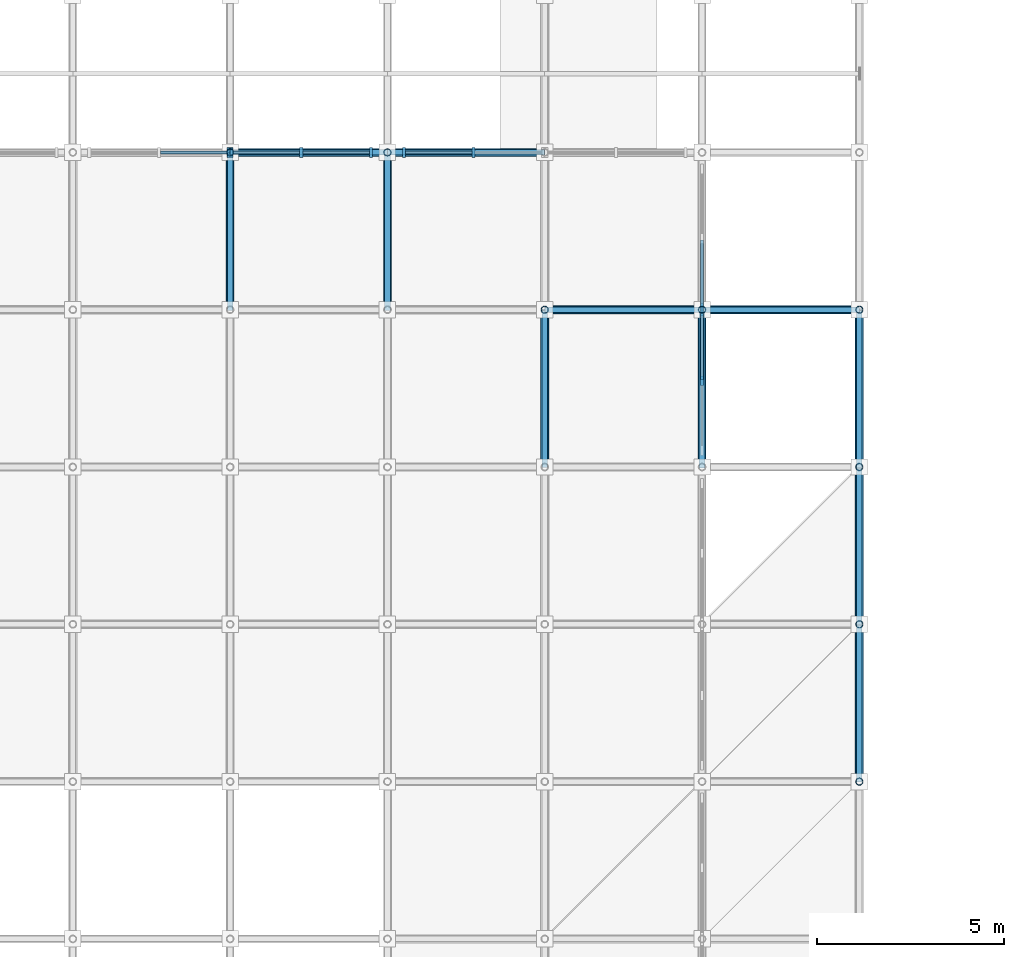
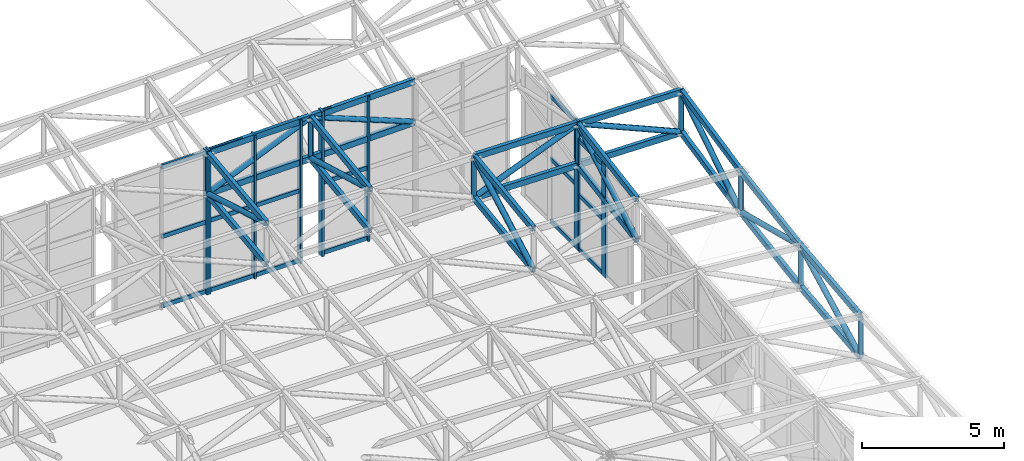
# One storey, part 35 of 132: 68 members, 5 elements without a shape of their own.
"""IFC4 building model written with IfcOpenShell, lengths in metres."""

from ifc_helpers import new_model, si_unit, direction, frame, origin, origin_2d, place, context, subcontext, project, spatial, rectangle, hollow_rectangle, hollow_circle, extrude, material, material_profile, profile_set, type_object, element, aggregate, save


model = new_model("IFC4")

# Units and contexts
model_context = context("Model", 3, precision=1e-05, world=origin(), true_north=direction((0.0, 1.0)))
body_context = subcontext(model_context, "Body", "Model", "MODEL_VIEW")
ifc_project = project(units=[si_unit("LENGTHUNIT", "METRE"), si_unit("AREAUNIT", "SQUARE_METRE"), si_unit("VOLUMEUNIT", "CUBIC_METRE"), si_unit("PLANEANGLEUNIT", "RADIAN"), si_unit("MASSUNIT", "GRAM", prefix="KILO")], contexts=[model_context])

# Site, building, storey
site_placement = place(None, origin())
site = spatial("IfcSite", under=ifc_project, at=site_placement, CompositionType="ELEMENT")
building_placement = place(site_placement, origin())
building = spatial("IfcBuilding", under=site, at=building_placement, Name="Cumbredor Promenade Congress Hotel", CompositionType="ELEMENT")
storey_placement = place(building_placement, frame((0.0, 0.0, 7.56005859375)))
storey = spatial("IfcBuildingStorey", under=building, at=storey_placement, Name="L02", CompositionType="ELEMENT", Elevation=7.56005859375)

# Curtain wall, member
ifc_material_1 = material(Name="Thermally broken anodized aluminium and low-E glass", Category="aluminium")
curtain_wall_type = type_object("IfcCurtainWallType", Name="Stepped Pavilion Clerestory Curtain Wall CW-06", PredefinedType="NOTDEFINED", material=ifc_material_1)
curtain_wall_1_placement = place(storey_placement, origin())
curtain_wall_1 = element("IfcCurtainWall", 1, at=curtain_wall_1_placement, inside=storey, type_object=curtain_wall_type, Name="Thermal Spa and Hydrotherapy Pavilion N Glazed Clerestory 5", PredefinedType="NOTDEFINED")
ifc_material_2 = material(Name="Thermally broken anodized aluminium", Category="aluminium")
ifc_material_profile_1 = material_profile(ifc_material_2, rectangle(XDim=0.0849609375, YDim=0.260009765625, at=origin_2d()), Name="ALU MULLION CLERESTORY 85x260")
ifc_profile_set_1 = profile_set([ifc_material_profile_1], Name="Thermally broken anodized aluminium")
member_type_1 = type_object("IfcMemberType", Name="Curtain Wall Mullion ML-04", PredefinedType="MULLION", material=ifc_profile_set_1)
member_1_placement = place(storey_placement, frame((96.56005859375, 50.39990234375, -0.01806640625), z_axis=(0.0, 0.0, 1.0), x_axis=(1.0, 0.0, 0.0)))
member_1 = element("IfcMember", 2, at=member_1_placement, type_object=member_type_1, Name="Thermal Spa and Hydrotherapy Pavilion N Glazed Clerestory 5 Mullion 3", PredefinedType="MULLION", context=body_context, shape_type="SweptSolid", body=[
    extrude(rectangle(XDim=0.0849609375, YDim=0.260009765625, at=origin_2d()), origin(), (0.0, 0.0, 1.0), 6.160400390625),
])

# Curtain wall, members
curtain_wall_2_placement = place(storey_placement, origin())
curtain_wall_2 = element("IfcCurtainWall", 3, at=curtain_wall_2_placement, inside=storey, type_object=curtain_wall_type, Name="Thermal Spa and Hydrotherapy Pavilion N Glazed Clerestory 6", PredefinedType="NOTDEFINED")
member_2_placement = place(storey_placement, frame((96.639892578125, 50.39990234375, -0.01806640625), z_axis=(0.0, 0.0, 1.0), x_axis=(1.0, 0.0, 0.0)))
member_2 = element("IfcMember", 4, at=member_2_placement, type_object=member_type_1, Name="Thermal Spa and Hydrotherapy Pavilion N Glazed Clerestory 6 Mullion 1", PredefinedType="MULLION", context=body_context, shape_type="SweptSolid", body=[
    extrude(rectangle(XDim=0.0849609375, YDim=0.260009765625, at=origin_2d()), origin(), (0.0, 0.0, 1.0), 6.177001953125),
])
member_3_placement = place(storey_placement, frame((98.5, 50.39990234375, -0.01806640625), z_axis=(0.0, 0.0, 1.0), x_axis=(1.0, 0.0, 0.0)))
member_3 = element("IfcMember", 5, at=member_3_placement, type_object=member_type_1, Name="Thermal Spa and Hydrotherapy Pavilion N Glazed Clerestory 6 Mullion 2", PredefinedType="MULLION", context=body_context, shape_type="SweptSolid", body=[
    extrude(rectangle(XDim=0.0849609375, YDim=0.260009765625, at=origin_2d()), origin(), (0.0, 0.0, 1.0), 6.177001953125),
])
member_4_placement = place(storey_placement, frame((100.360107421875, 50.39990234375, -0.01806640625), z_axis=(0.0, 0.0, 1.0), x_axis=(1.0, 0.0, 0.0)))
member_4 = element("IfcMember", 6, at=member_4_placement, type_object=member_type_1, Name="Thermal Spa and Hydrotherapy Pavilion N Glazed Clerestory 6 Mullion 3", PredefinedType="MULLION", context=body_context, shape_type="SweptSolid", body=[
    extrude(rectangle(XDim=0.0849609375, YDim=0.260009765625, at=origin_2d()), origin(), (0.0, 0.0, 1.0), 6.177001953125),
])

curtain_wall_3_placement = place(storey_placement, origin())
curtain_wall_3 = element("IfcCurtainWall", 7, at=curtain_wall_3_placement, inside=storey, type_object=curtain_wall_type, Name="Thermal Spa and Hydrotherapy Pavilion N Glazed Clerestory 7", PredefinedType="NOTDEFINED")
member_5_placement = place(storey_placement, frame((101.239990234375, 50.39990234375, -0.01806640625), z_axis=(0.0, 0.0, 1.0), x_axis=(1.0, 0.0, 0.0)))
member_5 = element("IfcMember", 8, at=member_5_placement, type_object=member_type_1, Name="Thermal Spa and Hydrotherapy Pavilion N Glazed Clerestory 7 Mullion 1", PredefinedType="MULLION", context=body_context, shape_type="SweptSolid", body=[
    extrude(rectangle(XDim=0.0849609375, YDim=0.260009765625, at=origin_2d()), origin(), (0.0, 0.0, 1.0), 6.227294921875),
])
member_6_placement = place(storey_placement, frame((103.10009765625, 50.39990234375, -0.01806640625), z_axis=(0.0, 0.0, 1.0), x_axis=(1.0, 0.0, 0.0)))
member_6 = element("IfcMember", 9, at=member_6_placement, type_object=member_type_1, Name="Thermal Spa and Hydrotherapy Pavilion N Glazed Clerestory 7 Mullion 2", PredefinedType="MULLION", context=body_context, shape_type="SweptSolid", body=[
    extrude(rectangle(XDim=0.0849609375, YDim=0.260009765625, at=origin_2d()), origin(), (0.0, 0.0, 1.0), 6.227294921875),
])

curtain_wall_4_placement = place(storey_placement, origin())
curtain_wall_4 = element("IfcCurtainWall", 10, at=curtain_wall_4_placement, inside=storey, type_object=curtain_wall_type, Name="Thermal Spa and Hydrotherapy Pavilion E Glazed Clerestory 9", PredefinedType="NOTDEFINED")
member_7_placement = place(storey_placement, frame((109.199951171875, 44.300048828125, -0.01806640625), z_axis=(0.0, 0.0, 1.0), x_axis=(1.0, 0.0, 0.0)))
member_7 = element("IfcMember", 11, at=member_7_placement, type_object=member_type_1, Name="Thermal Spa and Hydrotherapy Pavilion E Glazed Clerestory 9 Mullion 2", PredefinedType="MULLION", context=body_context, shape_type="SweptSolid", body=[
    extrude(rectangle(XDim=0.0849609375, YDim=0.260009765625, at=origin_2d()), origin(), (0.0, 0.0, 1.0), 4.845947265625),
])
member_8_placement = place(storey_placement, frame((109.199951171875, 46.159912109375, -0.01806640625), z_axis=(0.0, 0.0, 1.0), x_axis=(1.0, 0.0, 0.0)))
member_8 = element("IfcMember", 12, at=member_8_placement, type_object=member_type_1, Name="Thermal Spa and Hydrotherapy Pavilion E Glazed Clerestory 9 Mullion 3", PredefinedType="MULLION", context=body_context, shape_type="SweptSolid", body=[
    extrude(rectangle(XDim=0.0849609375, YDim=0.260009765625, at=origin_2d()), origin(), (0.0, 0.0, 1.0), 4.845947265625),
])

# Curtain wall, member
curtain_wall_5_placement = place(storey_placement, origin())
curtain_wall_5 = element("IfcCurtainWall", 13, at=curtain_wall_5_placement, inside=storey, type_object=curtain_wall_type, Name="Thermal Spa and Hydrotherapy Pavilion E Glazed Clerestory 10", PredefinedType="NOTDEFINED")
member_9_placement = place(storey_placement, frame((109.199951171875, 46.239990234375, -0.01806640625), z_axis=(0.0, 0.0, 1.0), x_axis=(1.0, 0.0, 0.0)))
member_9 = element("IfcMember", 14, at=member_9_placement, type_object=member_type_1, Name="Thermal Spa and Hydrotherapy Pavilion E Glazed Clerestory 10 Mullion 1", PredefinedType="MULLION", context=body_context, shape_type="SweptSolid", body=[
    extrude(rectangle(XDim=0.0849609375, YDim=0.260009765625, at=origin_2d()), origin(), (0.0, 0.0, 1.0), 5.54931640625),
])

# Member
ifc_material_profile_2 = material_profile(ifc_material_2, rectangle(XDim=0.080078125, YDim=0.179931640625, at=origin_2d()), Name="ALU TRANSOM 80x180")
ifc_profile_set_2 = profile_set([ifc_material_profile_2], Name="Thermally broken anodized aluminium")
member_type_2 = type_object("IfcMemberType", Name="Curtain Wall Transom TR-03", PredefinedType="USERDEFINED", material=ifc_profile_set_2)
member_10_placement = place(storey_placement, frame((94.742431640625, 50.39990234375, 0.079833984375), z_axis=(1.0, 0.0, 0.0), x_axis=(0.0, 1.0, 0.0)))
member_10 = element("IfcMember", 15, at=member_10_placement, type_object=member_type_2, Name="Thermal Spa and Hydrotherapy Pavilion N Glazed Clerestory 5 Transom 2.1", ObjectType="TRANSOM", PredefinedType="USERDEFINED", context=body_context, shape_type="SweptSolid", body=[
    extrude(rectangle(XDim=0.080078125, YDim=0.179931640625, at=origin_2d()), origin(), (0.0, 0.0, 1.0), 1.775146484375),
])

member_11_placement = place(storey_placement, frame((94.742431640625, 50.39990234375, 3.06005859375), z_axis=(1.0, 0.0, 0.0), x_axis=(0.0, 1.0, 0.0)))
member_11 = element("IfcMember", 16, at=member_11_placement, type_object=member_type_2, Name="Thermal Spa and Hydrotherapy Pavilion N Glazed Clerestory 5 Transom 2.2", ObjectType="TRANSOM", PredefinedType="USERDEFINED", context=body_context, shape_type="SweptSolid", body=[
    extrude(rectangle(XDim=0.080078125, YDim=0.179931640625, at=origin_2d()), origin(), (0.0, 0.0, 1.0), 1.775146484375),
])

member_12_placement = place(storey_placement, frame((94.742431640625, 50.39990234375, 6.0400390625), z_axis=(1.0, 0.0, 0.0), x_axis=(0.0, 1.0, 0.0)))
member_12 = element("IfcMember", 17, at=member_12_placement, type_object=member_type_2, Name="Thermal Spa and Hydrotherapy Pavilion N Glazed Clerestory 5 Transom 2.3", ObjectType="TRANSOM", PredefinedType="USERDEFINED", context=body_context, shape_type="SweptSolid", body=[
    extrude(rectangle(XDim=0.080078125, YDim=0.179931640625, at=origin_2d()), origin(), (0.0, 0.0, 1.0), 1.775146484375),
])

aggregate(curtain_wall_1, [member_1, member_10, member_11, member_12])

member_13_placement = place(storey_placement, frame((96.6826171875, 50.39990234375, 0.079833984375), z_axis=(1.0, 0.0, 0.0), x_axis=(0.0, 1.0, 0.0)))
member_13 = element("IfcMember", 18, at=member_13_placement, type_object=member_type_2, Name="Thermal Spa and Hydrotherapy Pavilion N Glazed Clerestory 6 Transom 1.1", ObjectType="TRANSOM", PredefinedType="USERDEFINED", context=body_context, shape_type="SweptSolid", body=[
    extrude(rectangle(XDim=0.080078125, YDim=0.179931640625, at=origin_2d()), origin(), (0.0, 0.0, 1.0), 1.77490234375),
])

member_14_placement = place(storey_placement, frame((96.6826171875, 50.39990234375, 3.06982421875), z_axis=(1.0, 0.0, 0.0), x_axis=(0.0, 1.0, 0.0)))
member_14 = element("IfcMember", 19, at=member_14_placement, type_object=member_type_2, Name="Thermal Spa and Hydrotherapy Pavilion N Glazed Clerestory 6 Transom 1.2", ObjectType="TRANSOM", PredefinedType="USERDEFINED", context=body_context, shape_type="SweptSolid", body=[
    extrude(rectangle(XDim=0.080078125, YDim=0.179931640625, at=origin_2d()), origin(), (0.0, 0.0, 1.0), 1.77490234375),
])

member_15_placement = place(storey_placement, frame((96.6826171875, 50.39990234375, 6.06005859375), z_axis=(1.0, 0.0, 0.0), x_axis=(0.0, 1.0, 0.0)))
member_15 = element("IfcMember", 20, at=member_15_placement, type_object=member_type_2, Name="Thermal Spa and Hydrotherapy Pavilion N Glazed Clerestory 6 Transom 1.3", ObjectType="TRANSOM", PredefinedType="USERDEFINED", context=body_context, shape_type="SweptSolid", body=[
    extrude(rectangle(XDim=0.080078125, YDim=0.179931640625, at=origin_2d()), origin(), (0.0, 0.0, 1.0), 1.77490234375),
])

member_16_placement = place(storey_placement, frame((98.54248046875, 50.39990234375, 0.079833984375), z_axis=(1.0, 0.0, 0.0), x_axis=(0.0, 1.0, 0.0)))
member_16 = element("IfcMember", 21, at=member_16_placement, type_object=member_type_2, Name="Thermal Spa and Hydrotherapy Pavilion N Glazed Clerestory 6 Transom 2.1", ObjectType="TRANSOM", PredefinedType="USERDEFINED", context=body_context, shape_type="SweptSolid", body=[
    extrude(rectangle(XDim=0.080078125, YDim=0.179931640625, at=origin_2d()), origin(), (0.0, 0.0, 1.0), 1.77490234375),
])

member_17_placement = place(storey_placement, frame((98.54248046875, 50.39990234375, 3.06982421875), z_axis=(1.0, 0.0, 0.0), x_axis=(0.0, 1.0, 0.0)))
member_17 = element("IfcMember", 22, at=member_17_placement, type_object=member_type_2, Name="Thermal Spa and Hydrotherapy Pavilion N Glazed Clerestory 6 Transom 2.2", ObjectType="TRANSOM", PredefinedType="USERDEFINED", context=body_context, shape_type="SweptSolid", body=[
    extrude(rectangle(XDim=0.080078125, YDim=0.179931640625, at=origin_2d()), origin(), (0.0, 0.0, 1.0), 1.77490234375),
])

member_18_placement = place(storey_placement, frame((98.54248046875, 50.39990234375, 6.06005859375), z_axis=(1.0, 0.0, 0.0), x_axis=(0.0, 1.0, 0.0)))
member_18 = element("IfcMember", 23, at=member_18_placement, type_object=member_type_2, Name="Thermal Spa and Hydrotherapy Pavilion N Glazed Clerestory 6 Transom 2.3", ObjectType="TRANSOM", PredefinedType="USERDEFINED", context=body_context, shape_type="SweptSolid", body=[
    extrude(rectangle(XDim=0.080078125, YDim=0.179931640625, at=origin_2d()), origin(), (0.0, 0.0, 1.0), 1.77490234375),
])

aggregate(curtain_wall_2, [member_2, member_3, member_4, member_13, member_14, member_15, member_16, member_17, member_18])

member_19_placement = place(storey_placement, frame((101.282470703125, 50.39990234375, 0.079833984375), z_axis=(1.0, 0.0, 0.0), x_axis=(0.0, 1.0, 0.0)))
member_19 = element("IfcMember", 24, at=member_19_placement, type_object=member_type_2, Name="Thermal Spa and Hydrotherapy Pavilion N Glazed Clerestory 7 Transom 1.1", ObjectType="TRANSOM", PredefinedType="USERDEFINED", context=body_context, shape_type="SweptSolid", body=[
    extrude(rectangle(XDim=0.080078125, YDim=0.179931640625, at=origin_2d()), origin(), (0.0, 0.0, 1.0), 1.775146484375),
])

member_20_placement = place(storey_placement, frame((101.282470703125, 50.39990234375, 3.08984375), z_axis=(1.0, 0.0, 0.0), x_axis=(0.0, 1.0, 0.0)))
member_20 = element("IfcMember", 25, at=member_20_placement, type_object=member_type_2, Name="Thermal Spa and Hydrotherapy Pavilion N Glazed Clerestory 7 Transom 1.2", ObjectType="TRANSOM", PredefinedType="USERDEFINED", context=body_context, shape_type="SweptSolid", body=[
    extrude(rectangle(XDim=0.080078125, YDim=0.179931640625, at=origin_2d()), origin(), (0.0, 0.0, 1.0), 1.775146484375),
])

member_21_placement = place(storey_placement, frame((101.282470703125, 50.39990234375, 6.10986328125), z_axis=(1.0, 0.0, 0.0), x_axis=(0.0, 1.0, 0.0)))
member_21 = element("IfcMember", 26, at=member_21_placement, type_object=member_type_2, Name="Thermal Spa and Hydrotherapy Pavilion N Glazed Clerestory 7 Transom 1.3", ObjectType="TRANSOM", PredefinedType="USERDEFINED", context=body_context, shape_type="SweptSolid", body=[
    extrude(rectangle(XDim=0.080078125, YDim=0.179931640625, at=origin_2d()), origin(), (0.0, 0.0, 1.0), 1.775146484375),
])

aggregate(curtain_wall_3, [member_5, member_6, member_19, member_20, member_21])

member_22_placement = place(storey_placement, frame((109.199951171875, 44.342529296875, 0.079833984375), z_axis=(0.0, 1.0, 0.0), x_axis=(-1.0, 0.0, 0.0)))
member_22 = element("IfcMember", 27, at=member_22_placement, type_object=member_type_2, Name="Thermal Spa and Hydrotherapy Pavilion E Glazed Clerestory 9 Transom 2.1", ObjectType="TRANSOM", PredefinedType="USERDEFINED", context=body_context, shape_type="SweptSolid", body=[
    extrude(rectangle(XDim=0.080078125, YDim=0.179931640625, at=origin_2d()), origin(), (0.0, 0.0, 1.0), 1.77490234375),
])

member_23_placement = place(storey_placement, frame((109.199951171875, 44.342529296875, 2.39990234375), z_axis=(0.0, 1.0, 0.0), x_axis=(-1.0, 0.0, 0.0)))
member_23 = element("IfcMember", 28, at=member_23_placement, type_object=member_type_2, Name="Thermal Spa and Hydrotherapy Pavilion E Glazed Clerestory 9 Transom 2.2", ObjectType="TRANSOM", PredefinedType="USERDEFINED", context=body_context, shape_type="SweptSolid", body=[
    extrude(rectangle(XDim=0.080078125, YDim=0.179931640625, at=origin_2d()), origin(), (0.0, 0.0, 1.0), 1.77490234375),
])

member_24_placement = place(storey_placement, frame((109.199951171875, 44.342529296875, 4.72998046875), z_axis=(0.0, 1.0, 0.0), x_axis=(-1.0, 0.0, 0.0)))
member_24 = element("IfcMember", 29, at=member_24_placement, type_object=member_type_2, Name="Thermal Spa and Hydrotherapy Pavilion E Glazed Clerestory 9 Transom 2.3", ObjectType="TRANSOM", PredefinedType="USERDEFINED", context=body_context, shape_type="SweptSolid", body=[
    extrude(rectangle(XDim=0.080078125, YDim=0.179931640625, at=origin_2d()), origin(), (0.0, 0.0, 1.0), 1.77490234375),
])

aggregate(curtain_wall_4, [member_7, member_8, member_22, member_23, member_24])

member_25_placement = place(storey_placement, frame((109.199951171875, 46.282470703125, 0.079833984375), z_axis=(0.0, 1.0, 0.0), x_axis=(-1.0, 0.0, 0.0)))
member_25 = element("IfcMember", 30, at=member_25_placement, type_object=member_type_2, Name="Thermal Spa and Hydrotherapy Pavilion E Glazed Clerestory 10 Transom 1.1", ObjectType="TRANSOM", PredefinedType="USERDEFINED", context=body_context, shape_type="SweptSolid", body=[
    extrude(rectangle(XDim=0.080078125, YDim=0.179931640625, at=origin_2d()), origin(), (0.0, 0.0, 1.0), 1.775146484375),
])

member_26_placement = place(storey_placement, frame((109.199951171875, 46.282470703125, 2.75), z_axis=(0.0, 1.0, 0.0), x_axis=(-1.0, 0.0, 0.0)))
member_26 = element("IfcMember", 31, at=member_26_placement, type_object=member_type_2, Name="Thermal Spa and Hydrotherapy Pavilion E Glazed Clerestory 10 Transom 1.2", ObjectType="TRANSOM", PredefinedType="USERDEFINED", context=body_context, shape_type="SweptSolid", body=[
    extrude(rectangle(XDim=0.080078125, YDim=0.179931640625, at=origin_2d()), origin(), (0.0, 0.0, 1.0), 1.775146484375),
])

member_27_placement = place(storey_placement, frame((109.199951171875, 46.282470703125, 5.429931640625), z_axis=(0.0, 1.0, 0.0), x_axis=(-1.0, 0.0, 0.0)))
member_27 = element("IfcMember", 32, at=member_27_placement, type_object=member_type_2, Name="Thermal Spa and Hydrotherapy Pavilion E Glazed Clerestory 10 Transom 1.3", ObjectType="TRANSOM", PredefinedType="USERDEFINED", context=body_context, shape_type="SweptSolid", body=[
    extrude(rectangle(XDim=0.080078125, YDim=0.179931640625, at=origin_2d()), origin(), (0.0, 0.0, 1.0), 1.775146484375),
])

aggregate(curtain_wall_5, [member_9, member_25, member_26, member_27])

# Members
ifc_material_3 = material(Name="Steel ASTM A500 Grade C", Category="steel")
ifc_material_profile_3 = material_profile(ifc_material_3, hollow_rectangle(XDim=0.14990234375, YDim=0.25, WallThickness=0.012451171875, at=origin_2d()), Name="HSS 250x150x12.5")
ifc_profile_set_3 = profile_set([ifc_material_profile_3], Name="Steel ASTM A500 Grade C")
member_type_3 = type_object("IfcMemberType", Name="Spa Roof Space Frame Chord", PredefinedType="CHORD", material=ifc_profile_set_3)
for number, where, z_axis, x_axis, name in (
    (33, (105.0, 46.199951171875, 5.44091796875), (0.99989526494, 0.0, -0.014472703655), (0.0, 1.0, 0.0), "Thermal Spa and Hydrotherapy Pavilion X Top Chord 9.12"),
    (34, (105.0, 46.199951171875, 3.69091796875), (0.99989526494, 0.0, -0.014472703655), (0.0, 1.0, 0.0), "Thermal Spa and Hydrotherapy Pavilion X Bottom Chord 9.12"),
):
    element("IfcMember", number, at=place(storey_placement, frame(where, z_axis=z_axis, x_axis=x_axis)), inside=storey, type_object=member_type_3, Name=name, PredefinedType="CHORD", context=body_context, shape_type="SweptSolid", body=[
        extrude(hollow_rectangle(XDim=0.14990234375, YDim=0.25, WallThickness=0.012451171875, at=origin_2d()), origin(), (0.0, 0.0, 1.0), 4.200439453125),
    ])
for number, where, z_axis, x_axis, name in (
    (35, (109.199951171875, 46.199951171875, 5.380126953125), (0.99984492355, 0.0, -0.017610475605), (0.0, 1.0, 0.0), "Thermal Spa and Hydrotherapy Pavilion X Top Chord 10.12"),
    (36, (109.199951171875, 46.199951171875, 3.630126953125), (0.99984492355, 0.0, -0.017610475605), (0.0, 1.0, 0.0), "Thermal Spa and Hydrotherapy Pavilion X Bottom Chord 10.12"),
):
    element("IfcMember", number, at=place(storey_placement, frame(where, z_axis=z_axis, x_axis=x_axis)), inside=storey, type_object=member_type_3, Name=name, PredefinedType="CHORD", context=body_context, shape_type="SweptSolid", body=[
        extrude(hollow_rectangle(XDim=0.14990234375, YDim=0.25, WallThickness=0.012451171875, at=origin_2d()), origin(), (0.0, 0.0, 1.0), 4.20068359375),
    ])
for number, where, z_axis, x_axis, name in (
    (37, (96.60009765625, 50.39990234375, 6.008056640625), (0.999928311521, 0.0, 0.011973797138), (0.0, 1.0, 0.0), "Thermal Spa and Hydrotherapy Pavilion X Top Chord 7.13"),
    (38, (96.60009765625, 50.39990234375, 4.258056640625), (0.999928311521, 0.0, 0.011973797138), (0.0, 1.0, 0.0), "Thermal Spa and Hydrotherapy Pavilion X Bottom Chord 7.13"),
):
    element("IfcMember", number, at=place(storey_placement, frame(where, z_axis=z_axis, x_axis=x_axis)), inside=storey, type_object=member_type_3, Name=name, PredefinedType="CHORD", context=body_context, shape_type="SweptSolid", body=[
        extrude(hollow_rectangle(XDim=0.14990234375, YDim=0.25, WallThickness=0.012451171875, at=origin_2d()), origin(), (0.0, 0.0, 1.0), 4.2001953125),
    ])
for number, where, z_axis, x_axis, name in (
    (39, (100.800048828125, 50.39990234375, 6.058349609375), (0.999801289689, 0.0, 0.019934420878), (0.0, 1.0, 0.0), "Thermal Spa and Hydrotherapy Pavilion X Top Chord 8.13"),
    (40, (100.800048828125, 50.39990234375, 4.308349609375), (0.999801289689, 0.0, 0.019934420878), (0.0, 1.0, 0.0), "Thermal Spa and Hydrotherapy Pavilion X Bottom Chord 8.13"),
):
    element("IfcMember", number, at=place(storey_placement, frame(where, z_axis=z_axis, x_axis=x_axis)), inside=storey, type_object=member_type_3, Name=name, PredefinedType="CHORD", context=body_context, shape_type="SweptSolid", body=[
        extrude(hollow_rectangle(XDim=0.14990234375, YDim=0.25, WallThickness=0.012451171875, at=origin_2d()), origin(), (0.0, 0.0, 1.0), 4.20068359375),
    ])
for number, where, z_axis, x_axis, name in (
    (41, (96.60009765625, 46.199951171875, 5.510009765625), (0.0, 0.993042216965, 0.117758886392), (-1.0, 0.0, 0.0), "Thermal Spa and Hydrotherapy Pavilion Y Top Chord 7.12"),
    (42, (96.60009765625, 46.199951171875, 3.760009765625), (0.0, 0.993042216965, 0.117758886392), (-1.0, 0.0, 0.0), "Thermal Spa and Hydrotherapy Pavilion Y Bottom Chord 7.12"),
):
    element("IfcMember", number, at=place(storey_placement, frame(where, z_axis=z_axis, x_axis=x_axis)), inside=storey, type_object=member_type_3, Name=name, PredefinedType="CHORD", context=body_context, shape_type="SweptSolid", body=[
        extrude(hollow_rectangle(XDim=0.14990234375, YDim=0.25, WallThickness=0.012451171875, at=origin_2d()), origin(), (0.0, 0.0, 1.0), 4.2294921875),
    ])
for number, where, z_axis, x_axis, name in (
    (43, (100.800048828125, 46.199951171875, 5.484130859375), (0.0, 0.99078279409, 0.135460159955), (-1.0, 0.0, 0.0), "Thermal Spa and Hydrotherapy Pavilion Y Top Chord 8.12"),
    (44, (100.800048828125, 46.199951171875, 3.734130859375), (0.0, 0.99078279409, 0.135460159955), (-1.0, 0.0, 0.0), "Thermal Spa and Hydrotherapy Pavilion Y Bottom Chord 8.12"),
):
    element("IfcMember", number, at=place(storey_placement, frame(where, z_axis=z_axis, x_axis=x_axis)), inside=storey, type_object=member_type_3, Name=name, PredefinedType="CHORD", context=body_context, shape_type="SweptSolid", body=[
        extrude(hollow_rectangle(XDim=0.14990234375, YDim=0.25, WallThickness=0.012451171875, at=origin_2d()), origin(), (0.0, 0.0, 1.0), 4.239013671875),
    ])
for number, where, z_axis, x_axis, name in (
    (45, (105.0, 42.0, 4.8798828125), (0.0, 0.99119566578, 0.13240525722), (-1.0, 0.0, 0.0), "Thermal Spa and Hydrotherapy Pavilion Y Top Chord 9.11"),
    (46, (105.0, 42.0, 3.1298828125), (0.0, 0.99119566578, 0.13240525722), (-1.0, 0.0, 0.0), "Thermal Spa and Hydrotherapy Pavilion Y Bottom Chord 9.11"),
):
    element("IfcMember", number, at=place(storey_placement, frame(where, z_axis=z_axis, x_axis=x_axis)), inside=storey, type_object=member_type_3, Name=name, PredefinedType="CHORD", context=body_context, shape_type="SweptSolid", body=[
        extrude(hollow_rectangle(XDim=0.14990234375, YDim=0.25, WallThickness=0.012451171875, at=origin_2d()), origin(), (0.0, 0.0, 1.0), 4.2373046875),
    ])
for number, where, z_axis, x_axis, name in (
    (47, (109.199951171875, 42.0, 4.677001953125), (0.0, 0.986274352496, 0.165114813416), (-1.0, 0.0, 0.0), "Thermal Spa and Hydrotherapy Pavilion Y Top Chord 10.11"),
    (48, (109.199951171875, 42.0, 2.927001953125), (0.0, 0.986274352496, 0.165114813416), (-1.0, 0.0, 0.0), "Thermal Spa and Hydrotherapy Pavilion Y Bottom Chord 10.11"),
):
    element("IfcMember", number, at=place(storey_placement, frame(where, z_axis=z_axis, x_axis=x_axis)), inside=storey, type_object=member_type_3, Name=name, PredefinedType="CHORD", context=body_context, shape_type="SweptSolid", body=[
        extrude(hollow_rectangle(XDim=0.14990234375, YDim=0.25, WallThickness=0.012451171875, at=origin_2d()), origin(), (0.0, 0.0, 1.0), 4.25830078125),
    ])
for number, where, z_axis, x_axis, name in (
    (49, (113.39990234375, 33.60009765625, 3.309326171875), (0.0, 0.994462290258, 0.105094021025), (-1.0, 0.0, 0.0), "Thermal Spa and Hydrotherapy Pavilion Y Top Chord 11.9"),
    (50, (113.39990234375, 33.60009765625, 1.559326171875), (0.0, 0.994462290258, 0.105094021025), (-1.0, 0.0, 0.0), "Thermal Spa and Hydrotherapy Pavilion Y Bottom Chord 11.9"),
):
    element("IfcMember", number, at=place(storey_placement, frame(where, z_axis=z_axis, x_axis=x_axis)), inside=storey, type_object=member_type_3, Name=name, PredefinedType="CHORD", context=body_context, shape_type="SweptSolid", body=[
        extrude(hollow_rectangle(XDim=0.14990234375, YDim=0.25, WallThickness=0.012451171875, at=origin_2d()), origin(), (0.0, 0.0, 1.0), 4.223388671875),
    ])
for number, where, z_axis, x_axis, name in (
    (51, (113.39990234375, 37.800048828125, 3.753173828125), (0.0, 0.987676695168, 0.156507973669), (-1.0, 0.0, 0.0), "Thermal Spa and Hydrotherapy Pavilion Y Top Chord 11.10"),
    (52, (113.39990234375, 37.800048828125, 2.003173828125), (0.0, 0.987676695168, 0.156507973669), (-1.0, 0.0, 0.0), "Thermal Spa and Hydrotherapy Pavilion Y Bottom Chord 11.10"),
):
    element("IfcMember", number, at=place(storey_placement, frame(where, z_axis=z_axis, x_axis=x_axis)), inside=storey, type_object=member_type_3, Name=name, PredefinedType="CHORD", context=body_context, shape_type="SweptSolid", body=[
        extrude(hollow_rectangle(XDim=0.14990234375, YDim=0.25, WallThickness=0.012451171875, at=origin_2d()), origin(), (0.0, 0.0, 1.0), 4.25244140625),
    ])
for number, where, z_axis, x_axis, name in (
    (53, (113.39990234375, 42.0, 4.418701171875), (0.0, 0.978396847579, 0.206735600823), (-1.0, 0.0, 0.0), "Thermal Spa and Hydrotherapy Pavilion Y Top Chord 11.11"),
    (54, (113.39990234375, 42.0, 2.668701171875), (0.0, 0.978396847579, 0.206735600823), (-1.0, 0.0, 0.0), "Thermal Spa and Hydrotherapy Pavilion Y Bottom Chord 11.11"),
):
    element("IfcMember", number, at=place(storey_placement, frame(where, z_axis=z_axis, x_axis=x_axis)), inside=storey, type_object=member_type_3, Name=name, PredefinedType="CHORD", context=body_context, shape_type="SweptSolid", body=[
        extrude(hollow_rectangle(XDim=0.14990234375, YDim=0.25, WallThickness=0.012451171875, at=origin_2d()), origin(), (0.0, 0.0, 1.0), 4.292724609375),
    ])
ifc_material_profile_4 = material_profile(ifc_material_3, hollow_circle(Radius=0.109619140625, WallThickness=0.012451171875, at=origin_2d()), Name="CHS 219.1x12.5")
ifc_profile_set_4 = profile_set([ifc_material_profile_4], Name="Steel ASTM A500 Grade C")
member_type_4 = type_object("IfcMemberType", Name="Space Frame Web Diagonal D1", PredefinedType="BRACE", material=ifc_profile_set_4)
member_28_placement = place(storey_placement, frame((105.0, 46.199951171875, 3.69091796875), z_axis=(0.927772067225, 0.0, 0.373147412261), x_axis=(0.0, 1.0, 0.0)))
element("IfcMember", 55, at=member_28_placement, inside=storey, type_object=member_type_4, Name="Thermal Spa and Hydrotherapy Pavilion X Web Diagonal 9.12", PredefinedType="BRACE", context=body_context, shape_type="SweptSolid", body=[
    extrude(hollow_circle(Radius=0.109619140625, WallThickness=0.012451171875, at=origin_2d()), origin(), (0.0, 0.0, 1.0), 4.52685546875),
])
member_29_placement = place(storey_placement, frame((109.199951171875, 46.199951171875, 5.380126953125), z_axis=(0.917236966777, 0.0, -0.398341997256), x_axis=(0.0, 1.0, 0.0)))
element("IfcMember", 56, at=member_29_placement, inside=storey, type_object=member_type_4, Name="Thermal Spa and Hydrotherapy Pavilion X Web Diagonal 10.12", PredefinedType="BRACE", context=body_context, shape_type="SweptSolid", body=[
    extrude(hollow_circle(Radius=0.109619140625, WallThickness=0.012451171875, at=origin_2d()), origin(), (0.0, 0.0, 1.0), 4.578857421875),
])
member_30_placement = place(storey_placement, frame((96.60009765625, 50.39990234375, 4.258056640625), z_axis=(0.919120156578, 0.0, 0.393977331547), x_axis=(0.0, 1.0, 0.0)))
element("IfcMember", 57, at=member_30_placement, inside=storey, type_object=member_type_4, Name="Thermal Spa and Hydrotherapy Pavilion X Web Diagonal 7.13", PredefinedType="BRACE", context=body_context, shape_type="SweptSolid", body=[
    extrude(hollow_circle(Radius=0.109619140625, WallThickness=0.012451171875, at=origin_2d()), origin(), (0.0, 0.0, 1.0), 4.569580078125),
])
member_31_placement = place(storey_placement, frame((100.800048828125, 50.39990234375, 6.058349609375), z_axis=(0.929520112027, 0.0, -0.36877142153), x_axis=(0.0, 1.0, 0.0)))
element("IfcMember", 58, at=member_31_placement, inside=storey, type_object=member_type_4, Name="Thermal Spa and Hydrotherapy Pavilion X Web Diagonal 8.13", PredefinedType="BRACE", context=body_context, shape_type="SweptSolid", body=[
    extrude(hollow_circle(Radius=0.109619140625, WallThickness=0.012451171875, at=origin_2d()), origin(), (0.0, 0.0, 1.0), 4.518310546875),
])
member_32_placement = place(storey_placement, frame((96.60009765625, 46.199951171875, 5.510009765625), z_axis=(0.0, 0.958329239712, -0.285666008327), x_axis=(-1.0, 0.0, 0.0)))
element("IfcMember", 59, at=member_32_placement, inside=storey, type_object=member_type_4, Name="Thermal Spa and Hydrotherapy Pavilion Y Web Diagonal 7.12", PredefinedType="BRACE", context=body_context, shape_type="SweptSolid", body=[
    extrude(hollow_circle(Radius=0.109619140625, WallThickness=0.012451171875, at=origin_2d()), origin(), (0.0, 0.0, 1.0), 4.382568359375),
])
member_33_placement = place(storey_placement, frame((100.800048828125, 46.199951171875, 5.484130859375), z_axis=(0.0, 0.96297622741, -0.269586322805), x_axis=(-1.0, 0.0, 0.0)))
element("IfcMember", 60, at=member_33_placement, inside=storey, type_object=member_type_4, Name="Thermal Spa and Hydrotherapy Pavilion Y Web Diagonal 8.12", PredefinedType="BRACE", context=body_context, shape_type="SweptSolid", body=[
    extrude(hollow_circle(Radius=0.109619140625, WallThickness=0.012451171875, at=origin_2d()), origin(), (0.0, 0.0, 1.0), 4.361328125),
])
member_34_placement = place(storey_placement, frame((105.0, 42.0, 3.1298828125), z_axis=(0.0, 0.876122344109, 0.482088828073), x_axis=(-1.0, 0.0, 0.0)))
element("IfcMember", 61, at=member_34_placement, inside=storey, type_object=member_type_4, Name="Thermal Spa and Hydrotherapy Pavilion Y Web Diagonal 9.11", PredefinedType="BRACE", context=body_context, shape_type="SweptSolid", body=[
    extrude(hollow_circle(Radius=0.109619140625, WallThickness=0.012451171875, at=origin_2d()), origin(), (0.0, 0.0, 1.0), 4.793701171875),
])
member_35_placement = place(storey_placement, frame((109.199951171875, 42.0, 2.927001953125), z_axis=(0.0, 0.863496583733, 0.504354686586), x_axis=(-1.0, 0.0, 0.0)))
element("IfcMember", 62, at=member_35_placement, inside=storey, type_object=member_type_4, Name="Thermal Spa and Hydrotherapy Pavilion Y Web Diagonal 10.11", PredefinedType="BRACE", context=body_context, shape_type="SweptSolid", body=[
    extrude(hollow_circle(Radius=0.109619140625, WallThickness=0.012451171875, at=origin_2d()), origin(), (0.0, 0.0, 1.0), 4.86376953125),
])
member_36_placement = place(storey_placement, frame((113.39990234375, 33.60009765625, 1.559326171875), z_axis=(0.0, 0.88636241856, 0.462992076567), x_axis=(-1.0, 0.0, 0.0)))
element("IfcMember", 63, at=member_36_placement, inside=storey, type_object=member_type_4, Name="Thermal Spa and Hydrotherapy Pavilion Y Web Diagonal 11.9", PredefinedType="BRACE", context=body_context, shape_type="SweptSolid", body=[
    extrude(hollow_circle(Radius=0.109619140625, WallThickness=0.012451171875, at=origin_2d()), origin(), (0.0, 0.0, 1.0), 4.738525390625),
])
member_37_placement = place(storey_placement, frame((113.39990234375, 37.800048828125, 3.753173828125), z_axis=(0.0, 0.96824305038, -0.250010790548), x_axis=(-1.0, 0.0, 0.0)))
element("IfcMember", 64, at=member_37_placement, inside=storey, type_object=member_type_4, Name="Thermal Spa and Hydrotherapy Pavilion Y Web Diagonal 11.10", PredefinedType="BRACE", context=body_context, shape_type="SweptSolid", body=[
    extrude(hollow_circle(Radius=0.109619140625, WallThickness=0.012451171875, at=origin_2d()), origin(), (0.0, 0.0, 1.0), 4.337646484375),
])
member_38_placement = place(storey_placement, frame((113.39990234375, 42.0, 2.668701171875), z_axis=(0.0, 0.846865240386, 0.531807544724), x_axis=(-1.0, 0.0, 0.0)))
element("IfcMember", 65, at=member_38_placement, inside=storey, type_object=member_type_4, Name="Thermal Spa and Hydrotherapy Pavilion Y Web Diagonal 11.11", PredefinedType="BRACE", context=body_context, shape_type="SweptSolid", body=[
    extrude(hollow_circle(Radius=0.109619140625, WallThickness=0.012451171875, at=origin_2d()), origin(), (0.0, 0.0, 1.0), 4.95947265625),
])
ifc_material_profile_5 = material_profile(ifc_material_3, hollow_circle(Radius=0.096923828125, WallThickness=0.010009765625, at=origin_2d()), Name="CHS 193.7x10")
ifc_profile_set_5 = profile_set([ifc_material_profile_5], Name="Steel ASTM A500 Grade C")
member_type_5 = type_object("IfcMemberType", Name="Space Frame Web Post P1", PredefinedType="BRACE", material=ifc_profile_set_5)
for number, where, z_axis, x_axis, name in (
    (66, (96.60009765625, 50.39990234375, 4.258056640625), (0.0, 0.0, 1.0), (1.0, 0.0, 0.0), "Thermal Spa and Hydrotherapy Pavilion Space Frame Web Post 7.13"),
    (67, (100.800048828125, 50.39990234375, 4.308349609375), (0.0, 0.0, 1.0), (1.0, 0.0, 0.0), "Thermal Spa and Hydrotherapy Pavilion Space Frame Web Post 8.13"),
    (68, (105.0, 46.199951171875, 3.69091796875), (0.0, 0.0, 1.0), (1.0, 0.0, 0.0), "Thermal Spa and Hydrotherapy Pavilion Space Frame Web Post 9.12"),
    (69, (109.199951171875, 46.199951171875, 3.630126953125), (0.0, 0.0, 1.0), (1.0, 0.0, 0.0), "Thermal Spa and Hydrotherapy Pavilion Space Frame Web Post 10.12"),
    (70, (113.39990234375, 33.60009765625, 1.559326171875), (0.0, 0.0, 1.0), (1.0, 0.0, 0.0), "Thermal Spa and Hydrotherapy Pavilion Space Frame Web Post 11.9"),
    (71, (113.39990234375, 37.800048828125, 2.003173828125), (0.0, 0.0, 1.0), (1.0, 0.0, 0.0), "Thermal Spa and Hydrotherapy Pavilion Space Frame Web Post 11.10"),
    (72, (113.39990234375, 42.0, 2.668701171875), (0.0, 0.0, 1.0), (1.0, 0.0, 0.0), "Thermal Spa and Hydrotherapy Pavilion Space Frame Web Post 11.11"),
    (73, (113.39990234375, 46.199951171875, 3.55615234375), (0.0, 0.0, 1.0), (1.0, 0.0, 0.0), "Thermal Spa and Hydrotherapy Pavilion Space Frame Web Post 11.12"),
):
    element("IfcMember", number, at=place(storey_placement, frame(where, z_axis=z_axis, x_axis=x_axis)), inside=storey, type_object=member_type_5, Name=name, PredefinedType="BRACE", context=body_context, shape_type="SweptSolid", body=[
        extrude(hollow_circle(Radius=0.096923828125, WallThickness=0.010009765625, at=origin_2d()), origin(), (0.0, 0.0, 1.0), 1.75),
    ])

save(model, "model.ifc")
